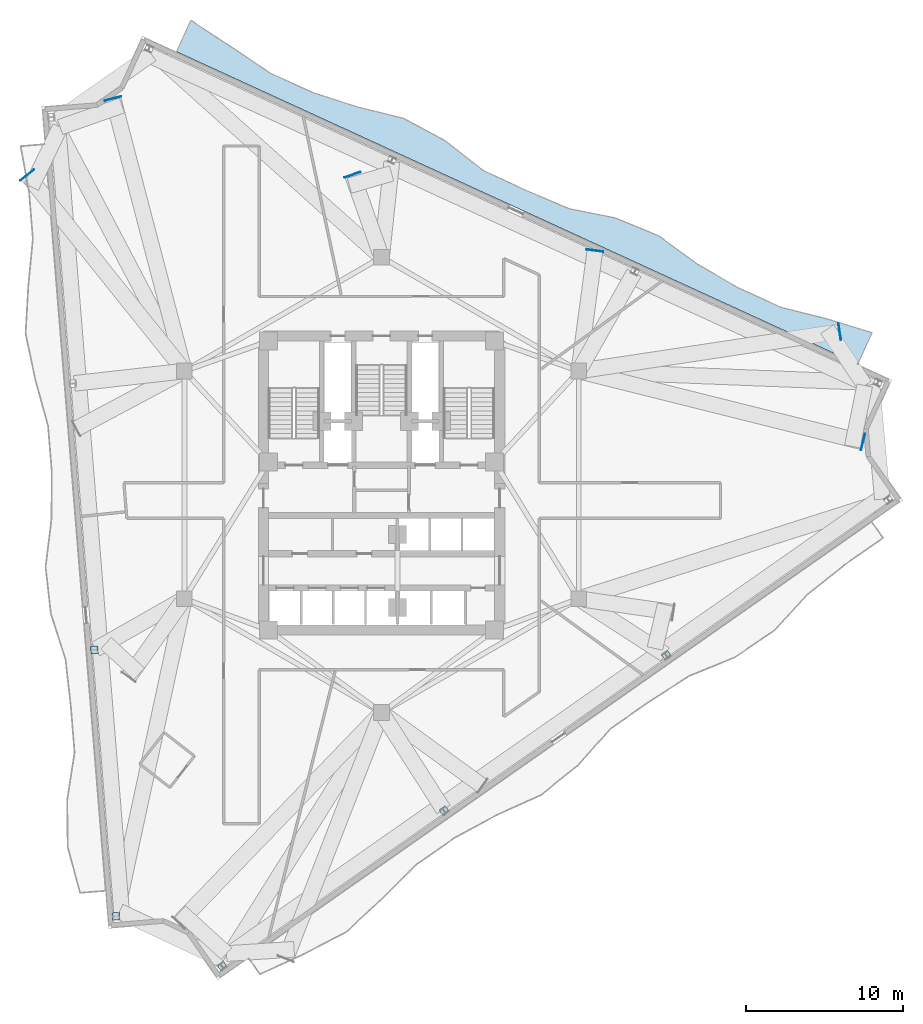
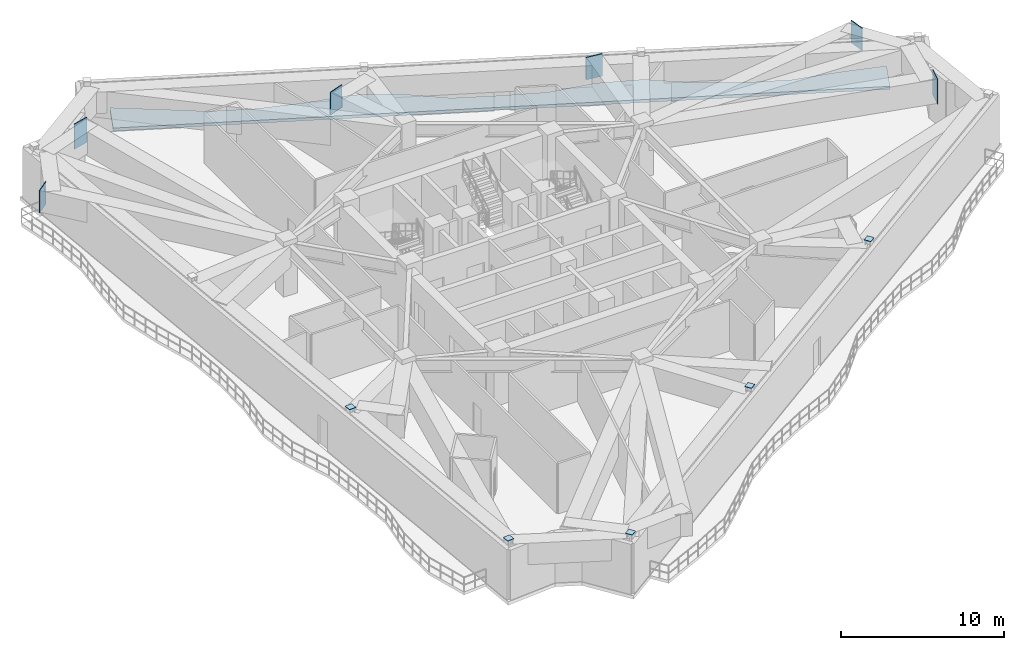
# One storey, part 6 of 14: 11 plates, 1 slab.
"""IFC4 building model written with IfcOpenShell, lengths in metres."""

from ifc_helpers import new_model, si_unit, direction, frame, origin, origin_2d, place, context, subcontext, project, spatial, polyline, rectangle, outline, extrude, material, layer, layer_set, type_object, element, save


model = new_model("IFC4")

# Units and contexts
model_context = context("Model", 3, precision=1e-05, world=origin(), true_north=direction((0.0, 1.0)))
body_context = subcontext(model_context, "Body", "Model", "MODEL_VIEW")
ifc_project = project(units=[si_unit("LENGTHUNIT", "METRE"), si_unit("AREAUNIT", "SQUARE_METRE"), si_unit("VOLUMEUNIT", "CUBIC_METRE"), si_unit("PLANEANGLEUNIT", "RADIAN"), si_unit("MASSUNIT", "GRAM", prefix="KILO")], contexts=[model_context])

# Site, building, storey
site_placement = place(None, origin())
site = spatial("IfcSite", under=ifc_project, at=site_placement, CompositionType="ELEMENT")
building_placement = place(site_placement, origin())
building = spatial("IfcBuilding", under=site, at=building_placement, Name="Apsidion Concourse Tower", CompositionType="ELEMENT")
storey_placement = place(building_placement, frame((0.0, 0.0, 222.89990234375)))
storey = spatial("IfcBuildingStorey", under=building, at=storey_placement, Name="L52", CompositionType="ELEMENT", Elevation=222.89990234375)

# Plates
ifc_material_1 = material(Name="Structural steel ASTM A572 Grade 50", Category="steel")
ifc_layer_1 = layer(ifc_material_1, 0.034912109375)
ifc_layer_set_1 = layer_set([ifc_layer_1], Name="Structural steel ASTM A572 Grade 50")
plate_type = type_object("IfcPlateType", Name="PL-ENDCAP-35", PredefinedType="USERDEFINED", material=ifc_layer_set_1)
for number, where, z_axis, x_axis, name in (
    (1, (-18.28955078125, -10.510498046875, 4.09814453125), (0.0, 0.0, 1.0), (-0.080720825512, 0.996736749763, 0.0), "L52 Step-Top Column End-Cap Plate PCCAP-PC03"),
    (2, (-16.915283203125, -27.47216796875, 4.09814453125), (0.0, 0.0, 1.0), (-0.080720825512, 0.996736749763, 0.0), "L52 Step-Top Column End-Cap Plate PCCAP-PC04"),
    (3, (-10.14404296875, -30.65625, 4.09814453125), (0.0, 0.0, 1.0), (0.819152044289, 0.573576436351, 0.0), "L52 Step-Top Column End-Cap Plate PCCAP-PC05"),
    (4, (3.996337890625, -20.755126953125, 4.09814453125), (0.0, 0.0, 1.0), (0.819152044289, 0.573576436351, 0.0), "L52 Step-Top Column End-Cap Plate PCCAP-PC06"),
    (5, (18.13671875, -10.85400390625, 4.09814453125), (0.0, 0.0, 1.0), (0.819152044289, 0.573576436351, 0.0), "L52 Step-Top Column End-Cap Plate PCCAP-PC07"),
):
    element("IfcPlate", number, at=place(storey_placement, frame(where, z_axis=z_axis, x_axis=x_axis)), inside=storey, type_object=plate_type, Name=name, ObjectType="FLANGE_PLATE", PredefinedType="USERDEFINED", context=body_context, shape_type="SweptSolid", body=[
        extrude(rectangle(XDim=0.47900390625, YDim=0.466064453125, at=origin_2d()), origin(), (0.0, 0.0, 1.0), 0.0400390625),
    ])
plate_1_placement = place(storey_placement, frame((-22.5673828125, 19.73388671875, 2.1103515625), z_axis=(0.0, 0.0, 1.0), x_axis=(-0.625515039842, 0.780212108937, 0.0)))
element("IfcPlate", 6, at=plate_1_placement, inside=storey, type_object=plate_type, Name="L52 Radial Transfer Girder End-Cap Plate NTRCAP-01", ObjectType="FLANGE_PLATE", PredefinedType="USERDEFINED", context=body_context, shape_type="SweptSolid", body=[
    extrude(rectangle(XDim=0.044921875, YDim=1.080078125, at=origin_2d()), origin(), (0.0, 0.0, 1.0), 1.679931640625),
])
plate_2_placement = place(storey_placement, frame((30.65771484375, 2.7265625, 1.91015625), z_axis=(0.0, 0.0, 1.0), x_axis=(0.970168923267, -0.242429908069, 0.0)))
element("IfcPlate", 7, at=plate_2_placement, inside=storey, type_object=plate_type, Name="L52 Radial Transfer Girder End-Cap Plate NTRCAP-08", ObjectType="FLANGE_PLATE", PredefinedType="USERDEFINED", context=body_context, shape_type="SweptSolid", body=[
    extrude(rectangle(XDim=0.044921875, YDim=1.080078125, at=origin_2d()), origin(), (0.0, 0.0, 1.0), 1.8798828125),
])
for number, where, z_axis, x_axis, name in (
    (8, (29.17529296875, 9.760986328125, 2.1103515625), (0.0, 0.0, 1.0), (0.988782464828, 0.149362770624, 0.0), "L52 Radial Transfer Girder End-Cap Plate NTRCAP-09"),
    (9, (13.588134765625, 14.917724609375, 2.1103515625), (0.0, 0.0, 1.0), (0.132948356962, 0.991122966327, 0.0), "L52 Radial Transfer Girder End-Cap Plate NTRCAP-10"),
    (10, (-1.855712890625, 19.747314453125, 2.1103515625), (0.0, 0.0, 1.0), (-0.33347779495, 0.942757954236, 0.0), "L52 Radial Transfer Girder End-Cap Plate NTRCAP-11"),
):
    element("IfcPlate", number, at=place(storey_placement, frame(where, z_axis=z_axis, x_axis=x_axis)), inside=storey, type_object=plate_type, Name=name, ObjectType="FLANGE_PLATE", PredefinedType="USERDEFINED", context=body_context, shape_type="SweptSolid", body=[
        extrude(rectangle(XDim=0.044921875, YDim=1.080078125, at=origin_2d()), origin(), (0.0, 0.0, 1.0), 1.679931640625),
    ])
plate_3_placement = place(storey_placement, frame((-17.098388671875, 24.603515625, 1.91015625), z_axis=(0.0, 0.0, 1.0), x_axis=(-0.253082602519, 0.96744467351, 0.0)))
element("IfcPlate", 11, at=plate_3_placement, inside=storey, type_object=plate_type, Name="L52 Radial Transfer Girder End-Cap Plate NTRCAP-12", ObjectType="FLANGE_PLATE", PredefinedType="USERDEFINED", context=body_context, shape_type="SweptSolid", body=[
    extrude(rectangle(XDim=0.044921875, YDim=1.080078125, at=origin_2d()), origin(), (0.0, 0.0, 1.0), 1.8798828125),
])

# Slab
ifc_material_2 = material(Name="Concrete C50/60", Category="concrete")
ifc_layer_2 = layer(ifc_material_2, 0.219970703125)
ifc_layer_set_2 = layer_set([ifc_layer_2], Name="Concrete C50/60")
slab_type = type_object("IfcSlabType", Name="SL-BAL-220", PredefinedType="FLOOR", material=ifc_layer_set_2)
slab_placement = place(storey_placement, frame((0.0, 0.0, -0.219970703125)))
element("IfcSlab", 12, at=slab_placement, inside=storey, type_object=slab_type, Name="L52 Face 3 Rippling Balcony Slab", PredefinedType="FLOOR", context=body_context, shape_type="SweptSolid", body=[
    extrude(outline(polyline([(30.32080078125, 7.6865234375), (27.609375, 8.93017578125), (24.898193359375, 10.174072265625), (22.186767578125, 11.417724609375), (19.475341796875, 12.661376953125), (16.76416015625, 13.9052734375), (14.052734375, 15.14892578125), (11.34130859375, 16.392578125), (8.630126953125, 17.636474609375), (5.918701171875, 18.880126953125), (3.20751953125, 20.123779296875), (0.49609375, 21.36767578125), (-2.215087890625, 22.611328125), (-4.926513671875, 23.85498046875), (-7.637939453125, 25.098876953125), (-10.34912109375, 26.342529296875), (-13.060546875, 27.586181640625), (-12.144775390625, 29.58251953125), (-9.624755859375, 27.921875), (-7.11669921875, 26.235107421875), (-4.405517578125, 24.9912109375), (-1.54736328125, 24.0673828125), (1.399658203125, 23.33740234375), (4.031982421875, 21.921630859375), (6.446533203125, 20.030517578125), (9.1513671875, 18.772705078125), (11.895751953125, 17.601318359375), (14.898193359375, 16.991943359375), (17.656982421875, 15.85205078125), (20.114501953125, 14.054443359375), (22.7080078125, 12.553955078125), (25.419189453125, 11.31005859375), (28.361083984375, 10.56884765625), (31.238037109375, 9.68603515625), (30.32080078125, 7.6865234375)])), origin(), (0.0, 0.0, 1.0), 0.219970703125),
])

save(model, "model.ifc")
